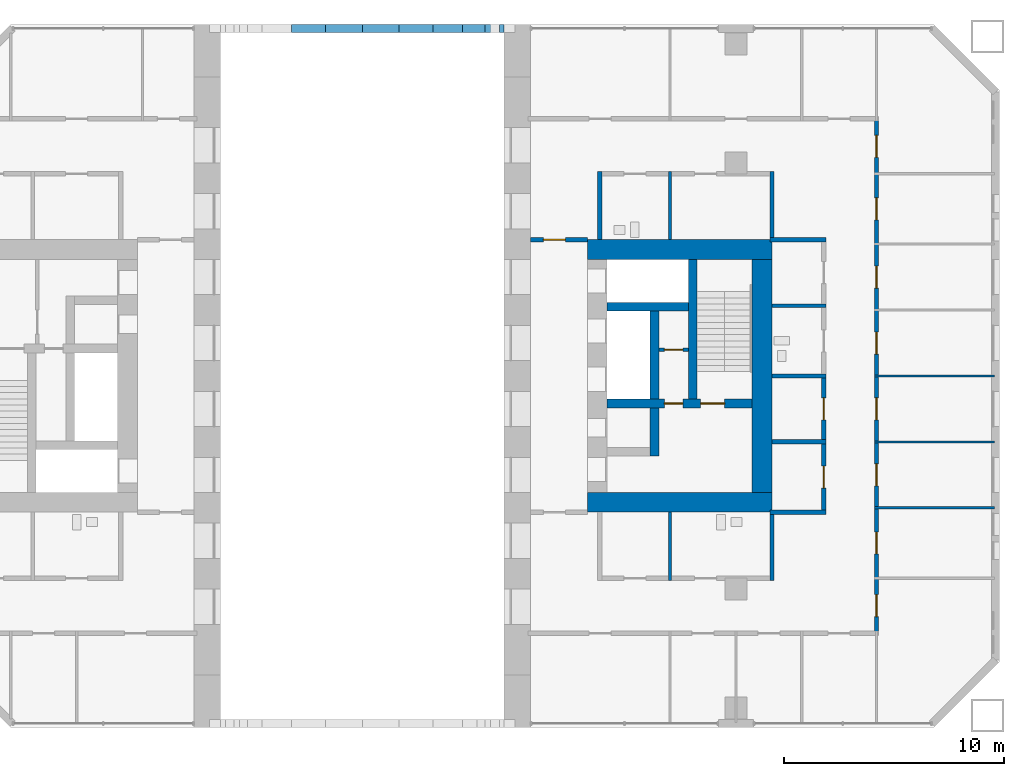
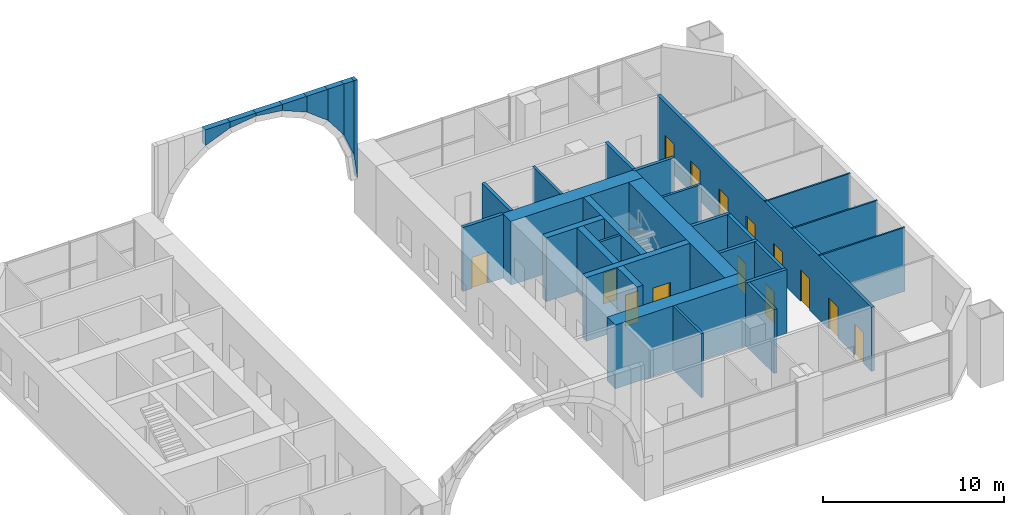
# One storey, part 17 of 21: 34 walls, 14 doors, 14 openings.
"""IFC4 building model written with IfcOpenShell, lengths in metres."""

from ifc_helpers import new_model, si_unit, direction, frame, frame_2d, origin, place, context, subcontext, project, spatial, polyline, rectangle, outline, extrude, material, layer, layer_set, type_object, element, fill, save


model = new_model("IFC4")

# Units and contexts
model_context = context("Model", 3, precision=1e-05, world=origin(), true_north=direction((0.0, 1.0)))
body_context = subcontext(model_context, "Body", "Model", "MODEL_VIEW")
ifc_project = project(units=[si_unit("LENGTHUNIT", "METRE"), si_unit("AREAUNIT", "SQUARE_METRE"), si_unit("VOLUMEUNIT", "CUBIC_METRE"), si_unit("PLANEANGLEUNIT", "RADIAN"), si_unit("MASSUNIT", "GRAM", prefix="KILO")], contexts=[model_context])

# Site, building, storey
site_placement = place(None, origin())
site = spatial("IfcSite", under=ifc_project, at=site_placement, CompositionType="ELEMENT")
building_placement = place(site_placement, origin())
building = spatial("IfcBuilding", under=site, at=building_placement, Name="Tuart Gate Housing", CompositionType="ELEMENT")
storey_placement = place(building_placement, frame((0.0, 0.0, 5.5)))
storey = spatial("IfcBuildingStorey", under=building, at=storey_placement, Name="L01", CompositionType="ELEMENT", Elevation=5.5)

# Walls
ifc_material_1 = material(Name="Gypsum board on steel studs", Category="steel")
ifc_layer_1 = layer(ifc_material_1, 0.14990234375)
ifc_layer_set_1 = layer_set([ifc_layer_1], Name="Bathroom wall 150")
wall_type_1 = type_object("IfcWallType", Name="Bathroom wall 150", PredefinedType="PLUMBINGWALL", material=ifc_layer_set_1)
wall_1_placement = place(storey_placement, frame((168.639892578125, 73.199951171875, 0.0), z_axis=(0.0, 0.0, 1.0), x_axis=(1.0, 0.0, 0.0)))
element("IfcWall", 1, at=wall_1_placement, inside=storey, type_object=wall_type_1, Name="Bathroom wall 150", PredefinedType="PLUMBINGWALL", context=body_context, shape_type="SweptSolid", body=[
    extrude(rectangle(XDim=2.460205078125, YDim=0.14990234375, at=frame_2d((1.22998046875, 0.0))), origin(), (0.0, 0.0, 1.0), 4.300048828125),
])
for number, where, z_axis, x_axis, name in (
    (2, (164.0, 60.699951171875, 0.0), (0.0, 0.0, 1.0), (0.0, 1.0, 0.0), "Bathroom wall 150"),
    (3, (164.0, 76.199951171875, 0.0), (0.0, 0.0, 1.0), (0.0, 1.0, 0.0), "Bathroom wall 150"),
):
    element("IfcWall", number, at=place(storey_placement, frame(where, z_axis=z_axis, x_axis=x_axis)), inside=storey, type_object=wall_type_1, Name=name, PredefinedType="PLUMBINGWALL", context=body_context, shape_type="SweptSolid", body=[
        extrude(rectangle(XDim=3.10009765625, YDim=0.14990234375, at=frame_2d((1.550048828125, 0.0))), origin(), (0.0, 0.0, 1.0), 4.300048828125),
    ])
ifc_material_2 = material(Name="Brick", Category="masonry")
ifc_layer_2 = layer(ifc_material_2, 0.360107421875)
ifc_layer_set_2 = layer_set([ifc_layer_2], Name="Brick pier and spandrel wall 360")
wall_type_2 = type_object("IfcWallType", Name="Brick pier and spandrel wall 360", PredefinedType="STANDARD", material=ifc_layer_set_2)
wall_2_placement = place(storey_placement, frame((148.33056640625, 85.820068359375, 7.8359375), z_axis=(0.0, 0.0, 1.0), x_axis=(-1.0, 0.0, 0.0)))
element("IfcWall", 4, at=wall_2_placement, inside=storey, type_object=wall_type_2, Name="Arch spandrel B-N", PredefinedType="STANDARD", context=body_context, shape_type="SweptSolid", body=[
    extrude(outline(polyline([(0.0, 0.644287109375), (1.5556640625, 0.0), (1.5556640625, 1.06396484375), (0.0, 1.06396484375), (0.0, 0.644287109375)])), frame((0.0, 0.18017578125, 0.0), z_axis=(0.0, -1.0, 0.0), x_axis=(1.0, 0.0, 0.0)), (0.0, 0.0, 1.0), 0.360107421875),
])
wall_3_placement = place(storey_placement, frame((150.0, 85.820068359375, 8.480224609375), z_axis=(0.0, 0.0, 1.0), x_axis=(-1.0, 0.0, 0.0)))
element("IfcWall", 5, at=wall_3_placement, inside=storey, type_object=wall_type_2, Name="Arch spandrel B-N", PredefinedType="STANDARD", context=body_context, shape_type="SweptSolid", body=[
    extrude(outline(polyline([(0.0, 0.2197265625), (1.66943359375, 0.0), (1.66943359375, 0.419677734375), (0.0, 0.419677734375), (0.0, 0.2197265625)])), frame((0.0, 0.18017578125, 0.0), z_axis=(0.0, -1.0, 0.0), x_axis=(1.0, 0.0, 0.0)), (0.0, 0.0, 1.0), 0.360107421875),
])
wall_4_placement = place(storey_placement, frame((151.66943359375, 85.820068359375, 8.480224609375), z_axis=(0.0, 0.0, 1.0), x_axis=(-1.0, 0.0, 0.0)))
element("IfcWall", 6, at=wall_4_placement, inside=storey, type_object=wall_type_2, Name="Arch spandrel B-N", PredefinedType="STANDARD", context=body_context, shape_type="SweptSolid", body=[
    extrude(outline(polyline([(0.0, 0.0), (1.66943359375, 0.2197265625), (1.66943359375, 0.419677734375), (0.0, 0.419677734375), (0.0, 0.0)])), frame((0.0, 0.18017578125, 0.0), z_axis=(0.0, -1.0, 0.0), x_axis=(1.0, 0.0, 0.0)), (0.0, 0.0, 1.0), 0.360107421875),
])
wall_5_placement = place(storey_placement, frame((153.22509765625, 85.820068359375, 7.8359375), z_axis=(0.0, 0.0, 1.0), x_axis=(-1.0, 0.0, 0.0)))
element("IfcWall", 7, at=wall_5_placement, inside=storey, type_object=wall_type_2, Name="Arch spandrel B-N", PredefinedType="STANDARD", context=body_context, shape_type="SweptSolid", body=[
    extrude(outline(polyline([(0.0, 0.0), (1.5556640625, 0.644287109375), (1.5556640625, 1.06396484375), (0.0, 1.06396484375), (0.0, 0.0)])), frame((0.0, 0.18017578125, 0.0), z_axis=(0.0, -1.0, 0.0), x_axis=(1.0, 0.0, 0.0)), (0.0, 0.0, 1.0), 0.360107421875),
])
wall_6_placement = place(storey_placement, frame((154.560791015625, 85.820068359375, 6.810791015625), z_axis=(0.0, 0.0, 1.0), x_axis=(-1.0, 0.0, 0.0)))
element("IfcWall", 8, at=wall_6_placement, inside=storey, type_object=wall_type_2, Name="Arch spandrel B-N", PredefinedType="STANDARD", context=body_context, shape_type="SweptSolid", body=[
    extrude(outline(polyline([(0.0, 0.0), (1.335693359375, 1.025146484375), (1.335693359375, 2.089111328125), (0.0, 2.089111328125), (0.0, 0.0)])), frame((0.0, 0.18017578125, 0.0), z_axis=(0.0, -1.0, 0.0), x_axis=(1.0, 0.0, 0.0)), (0.0, 0.0, 1.0), 0.360107421875),
])
wall_7_placement = place(storey_placement, frame((155.5859375, 85.820068359375, 5.47509765625), z_axis=(0.0, 0.0, 1.0), x_axis=(-1.0, 0.0, 0.0)))
element("IfcWall", 9, at=wall_7_placement, inside=storey, type_object=wall_type_2, Name="Arch spandrel B-N", PredefinedType="STANDARD", context=body_context, shape_type="SweptSolid", body=[
    extrude(outline(polyline([(0.0, 0.0), (1.025146484375, 1.335693359375), (1.025146484375, 3.4248046875), (0.0, 3.4248046875), (0.0, 0.0)])), frame((0.0, 0.18017578125, 0.0), z_axis=(0.0, -1.0, 0.0), x_axis=(1.0, 0.0, 0.0)), (0.0, 0.0, 1.0), 0.360107421875),
])
wall_8_placement = place(storey_placement, frame((156.230224609375, 85.820068359375, 3.91943359375), z_axis=(0.0, 0.0, 1.0), x_axis=(-1.0, 0.0, 0.0)))
element("IfcWall", 10, at=wall_8_placement, inside=storey, type_object=wall_type_2, Name="Arch spandrel B-N", PredefinedType="STANDARD", context=body_context, shape_type="SweptSolid", body=[
    extrude(outline(polyline([(0.0, 0.0), (0.644287109375, 1.5556640625), (0.644287109375, 4.98046875), (0.0, 4.98046875), (0.0, 0.0)])), frame((0.0, 0.18017578125, 0.0), z_axis=(0.0, -1.0, 0.0), x_axis=(1.0, 0.0, 0.0)), (0.0, 0.0, 1.0), 0.360107421875),
])
wall_9_placement = place(storey_placement, frame((156.449951171875, 85.820068359375, 2.25), z_axis=(0.0, 0.0, 1.0), x_axis=(-1.0, 0.0, 0.0)))
element("IfcWall", 11, at=wall_9_placement, inside=storey, type_object=wall_type_2, Name="Arch spandrel B-N", PredefinedType="STANDARD", context=body_context, shape_type="SweptSolid", body=[
    extrude(outline(polyline([(0.0, 0.0), (0.2197265625, 1.66943359375), (0.2197265625, 6.64990234375), (0.0, 6.64990234375), (0.0, 0.0)])), frame((0.0, 0.18017578125, 0.0), z_axis=(0.0, -1.0, 0.0), x_axis=(1.0, 0.0, 0.0)), (0.0, 0.0, 1.0), 0.360107421875),
])

# Wall, opening, door
ifc_material_3 = material(Name="Plasterboard partition")
ifc_layer_3 = layer(ifc_material_3, 0.14990234375)
ifc_layer_set_3 = layer_set([ifc_layer_3], Name="Core partition 150")
wall_type_3 = type_object("IfcWallType", Name="Core partition 150", PredefinedType="PARTITIONING", material=ifc_layer_set_3)
wall_10_placement = place(storey_placement, frame((163.489990234375, 71.199951171875, 0.0), z_axis=(0.0, 0.0, 1.0), x_axis=(1.0, 0.0, 0.0)))
wall_10 = element("IfcWall", 12, at=wall_10_placement, inside=storey, type_object=wall_type_3, Name="Core partition BK.2", PredefinedType="PARTITIONING", context=body_context, shape_type="SweptSolid", body=[
    extrude(rectangle(XDim=1.35009765625, YDim=0.14990234375, at=frame_2d((0.675048828125, 0.0))), origin(), (0.0, 0.0, 1.0), 4.300048828125),
])
opening_1_placement = place(wall_10_placement, frame((0.25, 0.0, 0.0)))
opening_1 = element("IfcOpeningElement", 13, at=opening_1_placement, cuts=wall_10, Name="Opening D3147", PredefinedType="OPENING", context=body_context, shape_type="SweptSolid", body=[
    extrude(rectangle(XDim=0.85009765625, YDim=2.10009765625, at=frame_2d((0.425048828125, 1.050048828125))), frame((0.0, 0.0849609375, 0.0), z_axis=(0.0, -1.0, 0.0), x_axis=(1.0, 0.0, 0.0)), (0.0, 0.0, 1.0), 0.169921875),
])
ifc_material_4 = material(Name="Steel fire door", Category="steel")
door_type_1 = type_object("IfcDoorType", Name="Service door 850 x 2100 RH", OperationType="SINGLE_SWING_RIGHT", PredefinedType="DOOR", material=ifc_material_4)
door_1_placement = place(opening_1_placement, frame((0.85009765625, 0.0, 0.0), z_axis=(0.0, 0.0, 1.0), x_axis=(-1.0, 0.0, 0.0)))
door_1 = element("IfcDoor", 14, at=door_1_placement, inside=storey, type_object=door_type_1, Name="Service room door BK.W2", OperationType="SINGLE_SWING_RIGHT", OverallHeight=2.10009765625, OverallWidth=0.85009765625, PredefinedType="DOOR", context=body_context, shape_type="SweptSolid", body=[
    extrude(rectangle(XDim=0.85009765625, YDim=2.10009765625, at=frame_2d((0.425048828125, 1.050048828125))), frame((0.0, 0.025146484375, 0.0), z_axis=(0.0, -1.0, 0.0), x_axis=(1.0, 0.0, 0.0)), (0.0, 0.0, 1.0), 0.050048828125),
])
fill(opening_1, door_1)

# Wall
ifc_material_5 = material(Name="Concrete C60", Category="concrete")
ifc_layer_4 = layer(ifc_material_5, 0.39990234375)
ifc_layer_set_4 = layer_set([ifc_layer_4], Name="Core wall 400 C60")
wall_type_4 = type_object("IfcWallType", Name="Core wall 400 C60", PredefinedType="SHEAR", material=ifc_layer_set_4)
wall_11_placement = place(storey_placement, frame((161.139892578125, 73.14990234375, 0.0), z_axis=(0.0, 0.0, 1.0), x_axis=(1.0, 0.0, 0.0)))
element("IfcWall", 15, at=wall_11_placement, inside=storey, type_object=wall_type_4, Name="Core wall BK.1", PredefinedType="SHEAR", context=body_context, shape_type="SweptSolid", body=[
    extrude(rectangle(XDim=3.7001953125, YDim=0.39990234375, at=frame_2d((1.85009765625, 0.0))), origin(), (0.0, 0.0, 1.0), 4.300048828125),
])

# Wall, openings, doors
wall_12_placement = place(storey_placement, frame((161.139892578125, 68.75, 0.0), z_axis=(0.0, 0.0, 1.0), x_axis=(1.0, 0.0, 0.0)))
wall_12 = element("IfcWall", 16, at=wall_12_placement, inside=storey, type_object=wall_type_4, Name="Core wall BK.3", PredefinedType="SHEAR", context=body_context, shape_type="SweptSolid", body=[
    extrude(rectangle(XDim=6.60009765625, YDim=0.39990234375, at=frame_2d((3.300048828125, 0.0))), origin(), (0.0, 0.0, 1.0), 4.300048828125),
])
opening_2_placement = place(wall_12_placement, frame((4.25, 0.0, 0.0)))
opening_2 = element("IfcOpeningElement", 17, at=opening_2_placement, cuts=wall_12, Name="Opening D3161", PredefinedType="OPENING", context=body_context, shape_type="SweptSolid", body=[
    extrude(rectangle(XDim=1.10009765625, YDim=2.10009765625, at=frame_2d((0.550048828125, 1.050048828125))), frame((0.0, 0.2099609375, 0.0), z_axis=(0.0, -1.0, 0.0), x_axis=(1.0, 0.0, 0.0)), (0.0, 0.0, 1.0), 0.419921875),
])
opening_3_placement = place(wall_12_placement, frame((2.60009765625, 0.0, 0.0)))
opening_3 = element("IfcOpeningElement", 18, at=opening_3_placement, cuts=wall_12, Name="Opening D3160", PredefinedType="OPENING", context=body_context, shape_type="SweptSolid", body=[
    extrude(rectangle(XDim=0.85009765625, YDim=2.10009765625, at=frame_2d((0.425048828125, 1.050048828125))), frame((0.0, 0.2099609375, 0.0), z_axis=(0.0, -1.0, 0.0), x_axis=(1.0, 0.0, 0.0)), (0.0, 0.0, 1.0), 0.419921875),
])
ifc_material_6 = material(Name="Steel fire door", Category="steel")
door_type_2 = type_object("IfcDoorType", Name="Riser door 850 x 2100", OperationType="SINGLE_SWING_LEFT", PredefinedType="DOOR", material=ifc_material_6)
door_2_placement = place(opening_3_placement, origin())
door_2 = element("IfcDoor", 19, at=door_2_placement, inside=storey, type_object=door_type_2, Name="Service room door BK.W1", OperationType="SINGLE_SWING_LEFT", OverallHeight=2.10009765625, OverallWidth=0.85009765625, PredefinedType="DOOR", context=body_context, shape_type="SweptSolid", body=[
    extrude(rectangle(XDim=0.85009765625, YDim=2.10009765625, at=frame_2d((0.425048828125, 1.050048828125))), frame((0.0, 0.02490234375, 0.0), z_axis=(0.0, -1.0, 0.0), x_axis=(1.0, 0.0, 0.0)), (0.0, 0.0, 1.0), 0.050048828125),
])
fill(opening_3, door_2)
ifc_material_7 = material(Name="Steel fire door", Category="steel")
door_type_3 = type_object("IfcDoorType", Name="Stair door 1100 x 2100", OperationType="SINGLE_SWING_LEFT", PredefinedType="DOOR", material=ifc_material_7)
door_3_placement = place(opening_2_placement, origin())
door_3 = element("IfcDoor", 20, at=door_3_placement, inside=storey, type_object=door_type_3, Name="Stair door BK.SD", OperationType="SINGLE_SWING_LEFT", OverallHeight=2.10009765625, OverallWidth=1.10009765625, PredefinedType="DOOR", context=body_context, shape_type="SweptSolid", body=[
    extrude(rectangle(XDim=1.10009765625, YDim=2.10009765625, at=frame_2d((0.550048828125, 1.050048828125))), frame((0.0, 0.02490234375, 0.0), z_axis=(0.0, -1.0, 0.0), x_axis=(1.0, 0.0, 0.0)), (0.0, 0.0, 1.0), 0.050048828125),
])
fill(opening_2, door_3)

# Walls
wall_13_placement = place(storey_placement, frame((163.2900390625, 72.949951171875, 0.0), z_axis=(0.0, 0.0, 1.0), x_axis=(0.0, -1.0, 0.0)))
element("IfcWall", 21, at=wall_13_placement, inside=storey, type_object=wall_type_4, Name="Core wall BK.5", PredefinedType="SHEAR", context=body_context, shape_type="SweptSolid", body=[
    extrude(rectangle(XDim=4.0, YDim=0.39990234375, at=frame_2d((2.0, 0.0))), origin(), (0.0, 0.0, 1.0), 4.300048828125),
])
wall_14_placement = place(storey_placement, frame((163.2900390625, 68.550048828125, 0.0), z_axis=(0.0, 0.0, 1.0), x_axis=(0.0, -1.0, 0.0)))
element("IfcWall", 22, at=wall_14_placement, inside=storey, type_object=wall_type_4, Name="Core wall BK.6", PredefinedType="SHEAR", context=body_context, shape_type="SweptSolid", body=[
    extrude(rectangle(XDim=2.199951171875, YDim=0.39990234375, at=frame_2d((1.10009765625, 0.0))), origin(), (0.0, 0.0, 1.0), 4.300048828125),
])
wall_15_placement = place(storey_placement, frame((165.0400390625, 75.300048828125, 0.0), z_axis=(0.0, 0.0, 1.0), x_axis=(0.0, -1.0, 0.0)))
element("IfcWall", 23, at=wall_15_placement, inside=storey, type_object=wall_type_4, Name="Core wall BK.7", PredefinedType="SHEAR", context=body_context, shape_type="SweptSolid", body=[
    extrude(rectangle(XDim=6.35009765625, YDim=0.39990234375, at=frame_2d((3.175048828125, 0.0))), origin(), (0.0, 0.0, 1.0), 4.300048828125),
])
ifc_material_8 = material(Name="Concrete C60", Category="concrete")
ifc_layer_5 = layer(ifc_material_8, 0.89990234375)
ifc_layer_set_5 = layer_set([ifc_layer_5], Name="Core wall 900 C60")
wall_type_5 = type_object("IfcWallType", Name="Core wall 900 C60", PredefinedType="SHEAR", material=ifc_layer_set_5)
wall_16_placement = place(storey_placement, frame((168.18994140625, 75.300048828125, 0.0), z_axis=(0.0, 0.0, 1.0), x_axis=(0.0, -1.0, 0.0)))
element("IfcWall", 24, at=wall_16_placement, inside=storey, type_object=wall_type_5, Name="Core wall BK back", PredefinedType="SHEAR", context=body_context, shape_type="SweptSolid", body=[
    extrude(rectangle(XDim=10.60009765625, YDim=0.89990234375, at=frame_2d((5.300048828125, 0.0))), origin(), (0.0, 0.0, 1.0), 4.300048828125),
])
for number, where, z_axis, x_axis, name in (
    (25, (160.239990234375, 75.75, 0.0), (0.0, 0.0, 1.0), (1.0, 0.0, 0.0), "Core wall BK south"),
    (26, (160.239990234375, 64.25, 0.0), (0.0, 0.0, 1.0), (1.0, 0.0, 0.0), "Core wall BK north"),
):
    element("IfcWall", number, at=place(storey_placement, frame(where, z_axis=z_axis, x_axis=x_axis)), inside=storey, type_object=wall_type_5, Name=name, PredefinedType="SHEAR", context=body_context, shape_type="SweptSolid", body=[
        extrude(rectangle(XDim=8.39990234375, YDim=0.89990234375, at=frame_2d((4.199951171875, 0.0))), origin(), (0.0, 0.0, 1.0), 4.300048828125),
    ])
ifc_material_9 = material(Name="Concrete masonry 15 MPa", Category="masonry")
ifc_layer_6 = layer(ifc_material_9, 0.199951171875)
ifc_layer_set_6 = layer_set([ifc_layer_6], Name="Corridor wall masonry 200")
wall_type_6 = type_object("IfcWallType", Name="Corridor wall masonry 200", PredefinedType="PARTITIONING", material=ifc_layer_set_6)
for number, where, z_axis, x_axis, name in (
    (27, (168.5400390625, 63.800048828125, 0.0), (0.0, 0.0, 1.0), (1.0, 0.0, 0.0), "Corridor wall masonry 200"),
    (28, (168.5400390625, 76.199951171875, 0.0), (0.0, 0.0, 1.0), (1.0, 0.0, 0.0), "Corridor wall masonry 200"),
):
    element("IfcWall", number, at=place(storey_placement, frame(where, z_axis=z_axis, x_axis=x_axis)), inside=storey, type_object=wall_type_6, Name=name, PredefinedType="PARTITIONING", context=body_context, shape_type="SweptSolid", body=[
        extrude(rectangle(XDim=2.56005859375, YDim=0.199951171875, at=frame_2d((1.280029296875, 0.0))), origin(), (0.0, 0.0, 1.0), 4.300048828125),
    ])
wall_17_placement = place(storey_placement, frame((160.800048828125, 76.199951171875, 0.0), z_axis=(0.0, 0.0, 1.0), x_axis=(0.0, 1.0, 0.0)))
element("IfcWall", 29, at=wall_17_placement, inside=storey, type_object=wall_type_6, Name="Corridor wall masonry 200", PredefinedType="PARTITIONING", context=body_context, shape_type="SweptSolid", body=[
    extrude(rectangle(XDim=3.10009765625, YDim=0.199951171875, at=frame_2d((1.550048828125, 0.0))), origin(), (0.0, 0.0, 1.0), 4.300048828125),
])
for number, where, z_axis, x_axis, name in (
    (30, (168.639892578125, 60.699951171875, 0.0), (0.0, 0.0, 1.0), (0.0, 1.0, 0.0), "Corridor wall masonry 200"),
    (31, (168.639892578125, 76.10009765625, 0.0), (0.0, 0.0, 1.0), (0.0, 1.0, 0.0), "Corridor wall masonry 200"),
):
    element("IfcWall", number, at=place(storey_placement, frame(where, z_axis=z_axis, x_axis=x_axis)), inside=storey, type_object=wall_type_6, Name=name, PredefinedType="PARTITIONING", context=body_context, shape_type="SweptSolid", body=[
        extrude(rectangle(XDim=3.199951171875, YDim=0.199951171875, at=frame_2d((1.60009765625, 0.0))), origin(), (0.0, 0.0, 1.0), 4.300048828125),
    ])

# Wall, opening, door
wall_18_placement = place(storey_placement, frame((171.0, 63.699951171875, 0.0), z_axis=(0.0, 0.0, 1.0), x_axis=(0.0, 1.0, 0.0)))
wall_18 = element("IfcWall", 32, at=wall_18_placement, inside=storey, type_object=wall_type_6, Name="Corridor wall masonry 200", PredefinedType="PARTITIONING", context=body_context, shape_type="SweptSolid", body=[
    extrude(rectangle(XDim=3.400146484375, YDim=0.199951171875, at=frame_2d((1.7001953125, 0.0))), origin(), (0.0, 0.0, 1.0), 4.300048828125),
])
opening_4_placement = place(wall_18_placement, frame((1.199951171875, 0.0, 0.0)))
opening_4 = element("IfcOpeningElement", 33, at=opening_4_placement, cuts=wall_18, Name="Opening D3163", PredefinedType="OPENING", context=body_context, shape_type="SweptSolid", body=[
    extrude(rectangle(XDim=1.0, YDim=2.10009765625, at=frame_2d((0.5, 1.050048828125))), frame((0.0, 0.10986328125, 0.0), z_axis=(0.0, -1.0, 0.0), x_axis=(1.0, 0.0, 0.0)), (0.0, 0.0, 1.0), 0.219970703125),
])
ifc_material_10 = material(Name="Timber door leaf in steel frame", Category="steel")
door_type_4 = type_object("IfcDoorType", Name="Fire door 1000", OperationType="SINGLE_SWING_LEFT", PredefinedType="DOOR", material=ifc_material_10)
door_4_placement = place(opening_4_placement, origin())
door_4 = element("IfcDoor", 34, at=door_4_placement, inside=storey, type_object=door_type_4, Name="Fire door 1000", OperationType="SINGLE_SWING_LEFT", OverallHeight=2.10009765625, OverallWidth=1.0, PredefinedType="DOOR", context=body_context, shape_type="SweptSolid", body=[
    extrude(rectangle(XDim=1.0, YDim=2.10009765625, at=frame_2d((0.5, 1.050048828125))), frame((0.0, 0.02490234375, 0.0), z_axis=(0.0, -1.0, 0.0), x_axis=(1.0, 0.0, 0.0)), (0.0, 0.0, 1.0), 0.050048828125),
])
fill(opening_4, door_4)

# Wall, openings, doors
wall_19_placement = place(storey_placement, frame((173.39990234375, 58.197998046875, 0.0), z_axis=(0.0, 0.0, 1.0), x_axis=(0.0, 1.0, 0.0)))
wall_19 = element("IfcWall", 35, at=wall_19_placement, inside=storey, type_object=wall_type_6, Name="Corridor wall masonry 200", PredefinedType="PARTITIONING", context=body_context, shape_type="SweptSolid", body=[
    extrude(rectangle(XDim=23.60400390625, YDim=0.199951171875, at=frame_2d((11.802001953125, 0.0))), origin(), (0.0, 0.0, 1.0), 4.300048828125),
])
opening_5_placement = place(wall_19_placement, frame((0.85107421875, 0.0, 0.0)))
opening_5 = element("IfcOpeningElement", 36, at=opening_5_placement, cuts=wall_19, Name="Opening D3152", PredefinedType="OPENING", context=body_context, shape_type="SweptSolid", body=[
    extrude(rectangle(XDim=1.0, YDim=2.10009765625, at=frame_2d((0.5, 1.050048828125))), frame((0.0, 0.10986328125, 0.0), z_axis=(0.0, -1.0, 0.0), x_axis=(1.0, 0.0, 0.0)), (0.0, 0.0, 1.0), 0.219970703125),
])
opening_6_placement = place(wall_19_placement, frame((3.701904296875, 0.0, 0.0)))
opening_6 = element("IfcOpeningElement", 37, at=opening_6_placement, cuts=wall_19, Name="Opening D3153", PredefinedType="OPENING", context=body_context, shape_type="SweptSolid", body=[
    extrude(rectangle(XDim=1.0, YDim=2.10009765625, at=frame_2d((0.5, 1.050048828125))), frame((0.0, 0.10986328125, 0.0), z_axis=(0.0, -1.0, 0.0), x_axis=(1.0, 0.0, 0.0)), (0.0, 0.0, 1.0), 0.219970703125),
])
opening_7_placement = place(wall_19_placement, frame((6.802001953125, 0.0, 0.0)))
opening_7 = element("IfcOpeningElement", 38, at=opening_7_placement, cuts=wall_19, Name="Opening D3154", PredefinedType="OPENING", context=body_context, shape_type="SweptSolid", body=[
    extrude(rectangle(XDim=1.0, YDim=2.10009765625, at=frame_2d((0.5, 1.050048828125))), frame((0.0, 0.10986328125, 0.0), z_axis=(0.0, -1.0, 0.0), x_axis=(1.0, 0.0, 0.0)), (0.0, 0.0, 1.0), 0.219970703125),
])
opening_8_placement = place(wall_19_placement, frame((9.802001953125, 0.0, 0.0)))
opening_8 = element("IfcOpeningElement", 39, at=opening_8_placement, cuts=wall_19, Name="Opening D3155", PredefinedType="OPENING", context=body_context, shape_type="SweptSolid", body=[
    extrude(rectangle(XDim=1.0, YDim=2.10009765625, at=frame_2d((0.5, 1.050048828125))), frame((0.0, 0.10986328125, 0.0), z_axis=(0.0, -1.0, 0.0), x_axis=(1.0, 0.0, 0.0)), (0.0, 0.0, 1.0), 0.219970703125),
])
opening_9_placement = place(wall_19_placement, frame((12.802001953125, 0.0, 0.0)))
opening_9 = element("IfcOpeningElement", 40, at=opening_9_placement, cuts=wall_19, Name="Opening D3156", PredefinedType="OPENING", context=body_context, shape_type="SweptSolid", body=[
    extrude(rectangle(XDim=1.0, YDim=2.10009765625, at=frame_2d((0.5, 1.050048828125))), frame((0.0, 0.10986328125, 0.0), z_axis=(0.0, -1.0, 0.0), x_axis=(1.0, 0.0, 0.0)), (0.0, 0.0, 1.0), 0.219970703125),
])
opening_10_placement = place(wall_19_placement, frame((15.802001953125, 0.0, 0.0)))
opening_10 = element("IfcOpeningElement", 41, at=opening_10_placement, cuts=wall_19, Name="Opening D3157", PredefinedType="OPENING", context=body_context, shape_type="SweptSolid", body=[
    extrude(rectangle(XDim=1.0, YDim=2.10009765625, at=frame_2d((0.5, 1.050048828125))), frame((0.0, 0.10986328125, 0.0), z_axis=(0.0, -1.0, 0.0), x_axis=(1.0, 0.0, 0.0)), (0.0, 0.0, 1.0), 0.219970703125),
])
opening_11_placement = place(wall_19_placement, frame((18.902099609375, 0.0, 0.0)))
opening_11 = element("IfcOpeningElement", 42, at=opening_11_placement, cuts=wall_19, Name="Opening D3158", PredefinedType="OPENING", context=body_context, shape_type="SweptSolid", body=[
    extrude(rectangle(XDim=1.0, YDim=2.10009765625, at=frame_2d((0.5, 1.050048828125))), frame((0.0, 0.10986328125, 0.0), z_axis=(0.0, -1.0, 0.0), x_axis=(1.0, 0.0, 0.0)), (0.0, 0.0, 1.0), 0.219970703125),
])
opening_12_placement = place(wall_19_placement, frame((21.7529296875, 0.0, 0.0)))
opening_12 = element("IfcOpeningElement", 43, at=opening_12_placement, cuts=wall_19, Name="Opening D3159", PredefinedType="OPENING", context=body_context, shape_type="SweptSolid", body=[
    extrude(rectangle(XDim=1.0, YDim=2.10009765625, at=frame_2d((0.5, 1.050048828125))), frame((0.0, 0.10986328125, 0.0), z_axis=(0.0, -1.0, 0.0), x_axis=(1.0, 0.0, 0.0)), (0.0, 0.0, 1.0), 0.219970703125),
])
door_5_placement = place(opening_5_placement, frame((1.0, 0.0, 0.0), z_axis=(0.0, 0.0, 1.0), x_axis=(-1.0, 0.0, 0.0)))
door_5 = element("IfcDoor", 44, at=door_5_placement, inside=storey, type_object=door_type_4, Name="Fire door 1000", OperationType="SINGLE_SWING_LEFT", OverallHeight=2.10009765625, OverallWidth=1.0, PredefinedType="DOOR", context=body_context, shape_type="SweptSolid", body=[
    extrude(rectangle(XDim=1.0, YDim=2.10009765625, at=frame_2d((0.5, 1.050048828125))), frame((0.0, 0.025146484375, 0.0), z_axis=(0.0, -1.0, 0.0), x_axis=(1.0, 0.0, 0.0)), (0.0, 0.0, 1.0), 0.050048828125),
])
fill(opening_5, door_5)
ifc_material_11 = material(Name="Timber door leaf in steel frame", Category="steel")
door_type_5 = type_object("IfcDoorType", Name="Fire door 1000 RH", OperationType="SINGLE_SWING_RIGHT", PredefinedType="DOOR", material=ifc_material_11)
door_6_placement = place(opening_6_placement, frame((1.0, 0.0, 0.0), z_axis=(0.0, 0.0, 1.0), x_axis=(-1.0, 0.0, 0.0)))
door_6 = element("IfcDoor", 45, at=door_6_placement, inside=storey, type_object=door_type_5, Name="Fire door 1000", OperationType="SINGLE_SWING_RIGHT", OverallHeight=2.10009765625, OverallWidth=1.0, PredefinedType="DOOR", context=body_context, shape_type="SweptSolid", body=[
    extrude(rectangle(XDim=1.0, YDim=2.10009765625, at=frame_2d((0.5, 1.050048828125))), frame((0.0, 0.025146484375, 0.0), z_axis=(0.0, -1.0, 0.0), x_axis=(1.0, 0.0, 0.0)), (0.0, 0.0, 1.0), 0.050048828125),
])
fill(opening_6, door_6)
door_7_placement = place(opening_7_placement, frame((1.0, 0.0, 0.0), z_axis=(0.0, 0.0, 1.0), x_axis=(-1.0, 0.0, 0.0)))
door_7 = element("IfcDoor", 46, at=door_7_placement, inside=storey, type_object=door_type_5, Name="Fire door 1000", OperationType="SINGLE_SWING_RIGHT", OverallHeight=2.10009765625, OverallWidth=1.0, PredefinedType="DOOR", context=body_context, shape_type="SweptSolid", body=[
    extrude(rectangle(XDim=1.0, YDim=2.10009765625, at=frame_2d((0.5, 1.050048828125))), frame((0.0, 0.025146484375, 0.0), z_axis=(0.0, -1.0, 0.0), x_axis=(1.0, 0.0, 0.0)), (0.0, 0.0, 1.0), 0.050048828125),
])
fill(opening_7, door_7)
door_8_placement = place(opening_8_placement, frame((1.0, 0.0, 0.0), z_axis=(0.0, 0.0, 1.0), x_axis=(-1.0, 0.0, 0.0)))
door_8 = element("IfcDoor", 47, at=door_8_placement, inside=storey, type_object=door_type_5, Name="Fire door 1000", OperationType="SINGLE_SWING_RIGHT", OverallHeight=2.10009765625, OverallWidth=1.0, PredefinedType="DOOR", context=body_context, shape_type="SweptSolid", body=[
    extrude(rectangle(XDim=1.0, YDim=2.10009765625, at=frame_2d((0.5, 1.050048828125))), frame((0.0, 0.025146484375, 0.0), z_axis=(0.0, -1.0, 0.0), x_axis=(1.0, 0.0, 0.0)), (0.0, 0.0, 1.0), 0.050048828125),
])
fill(opening_8, door_8)
door_9_placement = place(opening_9_placement, frame((1.0, 0.0, 0.0), z_axis=(0.0, 0.0, 1.0), x_axis=(-1.0, 0.0, 0.0)))
door_9 = element("IfcDoor", 48, at=door_9_placement, inside=storey, type_object=door_type_5, Name="Fire door 1000", OperationType="SINGLE_SWING_RIGHT", OverallHeight=2.10009765625, OverallWidth=1.0, PredefinedType="DOOR", context=body_context, shape_type="SweptSolid", body=[
    extrude(rectangle(XDim=1.0, YDim=2.10009765625, at=frame_2d((0.5, 1.050048828125))), frame((0.0, 0.025146484375, 0.0), z_axis=(0.0, -1.0, 0.0), x_axis=(1.0, 0.0, 0.0)), (0.0, 0.0, 1.0), 0.050048828125),
])
fill(opening_9, door_9)
door_10_placement = place(opening_10_placement, frame((1.0, 0.0, 0.0), z_axis=(0.0, 0.0, 1.0), x_axis=(-1.0, 0.0, 0.0)))
door_10 = element("IfcDoor", 49, at=door_10_placement, inside=storey, type_object=door_type_5, Name="Fire door 1000", OperationType="SINGLE_SWING_RIGHT", OverallHeight=2.10009765625, OverallWidth=1.0, PredefinedType="DOOR", context=body_context, shape_type="SweptSolid", body=[
    extrude(rectangle(XDim=1.0, YDim=2.10009765625, at=frame_2d((0.5, 1.050048828125))), frame((0.0, 0.025146484375, 0.0), z_axis=(0.0, -1.0, 0.0), x_axis=(1.0, 0.0, 0.0)), (0.0, 0.0, 1.0), 0.050048828125),
])
fill(opening_10, door_10)
door_11_placement = place(opening_11_placement, frame((1.0, 0.0, 0.0), z_axis=(0.0, 0.0, 1.0), x_axis=(-1.0, 0.0, 0.0)))
door_11 = element("IfcDoor", 50, at=door_11_placement, inside=storey, type_object=door_type_5, Name="Fire door 1000", OperationType="SINGLE_SWING_RIGHT", OverallHeight=2.10009765625, OverallWidth=1.0, PredefinedType="DOOR", context=body_context, shape_type="SweptSolid", body=[
    extrude(rectangle(XDim=1.0, YDim=2.10009765625, at=frame_2d((0.5, 1.050048828125))), frame((0.0, 0.025146484375, 0.0), z_axis=(0.0, -1.0, 0.0), x_axis=(1.0, 0.0, 0.0)), (0.0, 0.0, 1.0), 0.050048828125),
])
fill(opening_11, door_11)
door_12_placement = place(opening_12_placement, frame((1.0, 0.0, 0.0), z_axis=(0.0, 0.0, 1.0), x_axis=(-1.0, 0.0, 0.0)))
door_12 = element("IfcDoor", 51, at=door_12_placement, inside=storey, type_object=door_type_5, Name="Fire door 1000", OperationType="SINGLE_SWING_RIGHT", OverallHeight=2.10009765625, OverallWidth=1.0, PredefinedType="DOOR", context=body_context, shape_type="SweptSolid", body=[
    extrude(rectangle(XDim=1.0, YDim=2.10009765625, at=frame_2d((0.5, 1.050048828125))), frame((0.0, 0.025146484375, 0.0), z_axis=(0.0, -1.0, 0.0), x_axis=(1.0, 0.0, 0.0)), (0.0, 0.0, 1.0), 0.050048828125),
])
fill(opening_12, door_12)

# Walls
ifc_material_12 = material(Name="Concrete masonry 15 MPa", Category="masonry")
ifc_layer_7 = layer(ifc_material_12, 0.199951171875)
ifc_layer_set_7 = layer_set([ifc_layer_7], Name="Enclosure wall masonry 200")
wall_type_7 = type_object("IfcWallType", Name="Enclosure wall masonry 200", PredefinedType="PARTITIONING", material=ifc_layer_set_7)
for number, where, z_axis, x_axis, name in (
    (52, (168.639892578125, 67.0, 0.0), (0.0, 0.0, 1.0), (1.0, 0.0, 0.0), "Enclosure wall masonry 200"),
    (53, (168.639892578125, 70.0, 0.0), (0.0, 0.0, 1.0), (1.0, 0.0, 0.0), "Enclosure wall masonry 200"),
):
    element("IfcWall", number, at=place(storey_placement, frame(where, z_axis=z_axis, x_axis=x_axis)), inside=storey, type_object=wall_type_7, Name=name, PredefinedType="PARTITIONING", context=body_context, shape_type="SweptSolid", body=[
        extrude(rectangle(XDim=2.460205078125, YDim=0.199951171875, at=frame_2d((1.22998046875, 0.0))), origin(), (0.0, 0.0, 1.0), 4.300048828125),
    ])

# Wall, opening, door
wall_20_placement = place(storey_placement, frame((157.64990234375, 76.199951171875, 0.0), z_axis=(0.0, 0.0, 1.0), x_axis=(1.0, 0.0, 0.0)))
wall_20 = element("IfcWall", 54, at=wall_20_placement, inside=storey, type_object=wall_type_7, Name="Enclosure wall masonry 200", PredefinedType="PARTITIONING", context=body_context, shape_type="SweptSolid", body=[
    extrude(rectangle(XDim=2.590087890625, YDim=0.199951171875, at=frame_2d((1.294921875, 0.0))), origin(), (0.0, 0.0, 1.0), 4.300048828125),
])
opening_13_placement = place(wall_20_placement, frame((0.590087890625, 0.0, 0.0)))
opening_13 = element("IfcOpeningElement", 55, at=opening_13_placement, cuts=wall_20, Name="Opening D3141", PredefinedType="OPENING", context=body_context, shape_type="SweptSolid", body=[
    extrude(rectangle(XDim=1.0, YDim=2.10009765625, at=frame_2d((0.5, 1.050048828125))), frame((0.0, 0.10986328125, 0.0), z_axis=(0.0, -1.0, 0.0), x_axis=(1.0, 0.0, 0.0)), (0.0, 0.0, 1.0), 0.219970703125),
])
ifc_material_13 = material(Name="Timber door leaf in steel frame", Category="steel")
door_type_6 = type_object("IfcDoorType", Name="Lobby door 1000", OperationType="SINGLE_SWING_LEFT", PredefinedType="DOOR", material=ifc_material_13)
door_13_placement = place(opening_13_placement, origin())
door_13 = element("IfcDoor", 56, at=door_13_placement, inside=storey, type_object=door_type_6, Name="Lobby door 1000", OperationType="SINGLE_SWING_LEFT", OverallHeight=2.10009765625, OverallWidth=1.0, PredefinedType="DOOR", context=body_context, shape_type="SweptSolid", body=[
    extrude(rectangle(XDim=1.0, YDim=2.10009765625, at=frame_2d((0.5, 1.050048828125))), frame((0.0, 0.02490234375, 0.0), z_axis=(0.0, -1.0, 0.0), x_axis=(1.0, 0.0, 0.0)), (0.0, 0.0, 1.0), 0.050048828125),
])
fill(opening_13, door_13)

wall_21_placement = place(storey_placement, frame((171.0, 66.89990234375, 0.0), z_axis=(0.0, 0.0, 1.0), x_axis=(0.0, 1.0, 0.0)))
wall_21 = element("IfcWall", 57, at=wall_21_placement, inside=storey, type_object=wall_type_7, Name="Enclosure wall masonry 200", PredefinedType="PARTITIONING", context=body_context, shape_type="SweptSolid", body=[
    extrude(rectangle(XDim=3.2001953125, YDim=0.199951171875, at=frame_2d((1.60009765625, 0.0))), origin(), (0.0, 0.0, 1.0), 4.300048828125),
])
opening_14_placement = place(wall_21_placement, frame((1.10009765625, 0.0, 0.0)))
opening_14 = element("IfcOpeningElement", 58, at=opening_14_placement, cuts=wall_21, Name="Opening D3162", PredefinedType="OPENING", context=body_context, shape_type="SweptSolid", body=[
    extrude(rectangle(XDim=1.0, YDim=2.10009765625, at=frame_2d((0.5, 1.050048828125))), frame((0.0, 0.10986328125, 0.0), z_axis=(0.0, -1.0, 0.0), x_axis=(1.0, 0.0, 0.0)), (0.0, 0.0, 1.0), 0.219970703125),
])
door_14_placement = place(opening_14_placement, origin())
door_14 = element("IfcDoor", 59, at=door_14_placement, inside=storey, type_object=door_type_4, Name="Fire door 1000", OperationType="SINGLE_SWING_LEFT", OverallHeight=2.10009765625, OverallWidth=1.0, PredefinedType="DOOR", context=body_context, shape_type="SweptSolid", body=[
    extrude(rectangle(XDim=1.0, YDim=2.10009765625, at=frame_2d((0.5, 1.050048828125))), frame((0.0, 0.02490234375, 0.0), z_axis=(0.0, -1.0, 0.0), x_axis=(1.0, 0.0, 0.0)), (0.0, 0.0, 1.0), 0.050048828125),
])
fill(opening_14, door_14)

# Walls
ifc_material_14 = material(Name="Gypsum board on steel studs", Category="steel")
ifc_layer_8 = layer(ifc_material_14, 0.10009765625)
ifc_layer_set_8 = layer_set([ifc_layer_8], Name="Partition 100")
wall_type_8 = type_object("IfcWallType", Name="Partition 100", PredefinedType="PARTITIONING", material=ifc_layer_set_8)
for number, where, z_axis, x_axis, name in (
    (60, (173.300048828125, 64.0, 0.0), (0.0, 0.0, 1.0), (1.0, 0.0, 0.0), "Partition 100"),
    (61, (173.300048828125, 67.0, 0.0), (0.0, 0.0, 1.0), (1.0, 0.0, 0.0), "Partition 100"),
    (62, (173.300048828125, 70.0, 0.0), (0.0, 0.0, 1.0), (1.0, 0.0, 0.0), "Partition 100"),
):
    element("IfcWall", number, at=place(storey_placement, frame(where, z_axis=z_axis, x_axis=x_axis)), inside=storey, type_object=wall_type_8, Name=name, PredefinedType="PARTITIONING", context=body_context, shape_type="SweptSolid", body=[
        extrude(rectangle(XDim=5.4599609375, YDim=0.10009765625, at=frame_2d((2.72998046875, 0.0))), origin(), (0.0, 0.0, 1.0), 4.300048828125),
    ])

save(model, "model.ifc")
